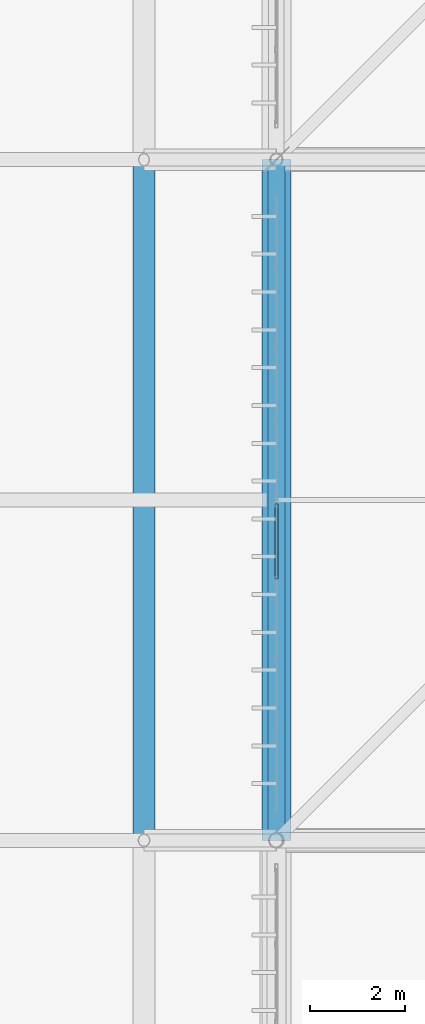
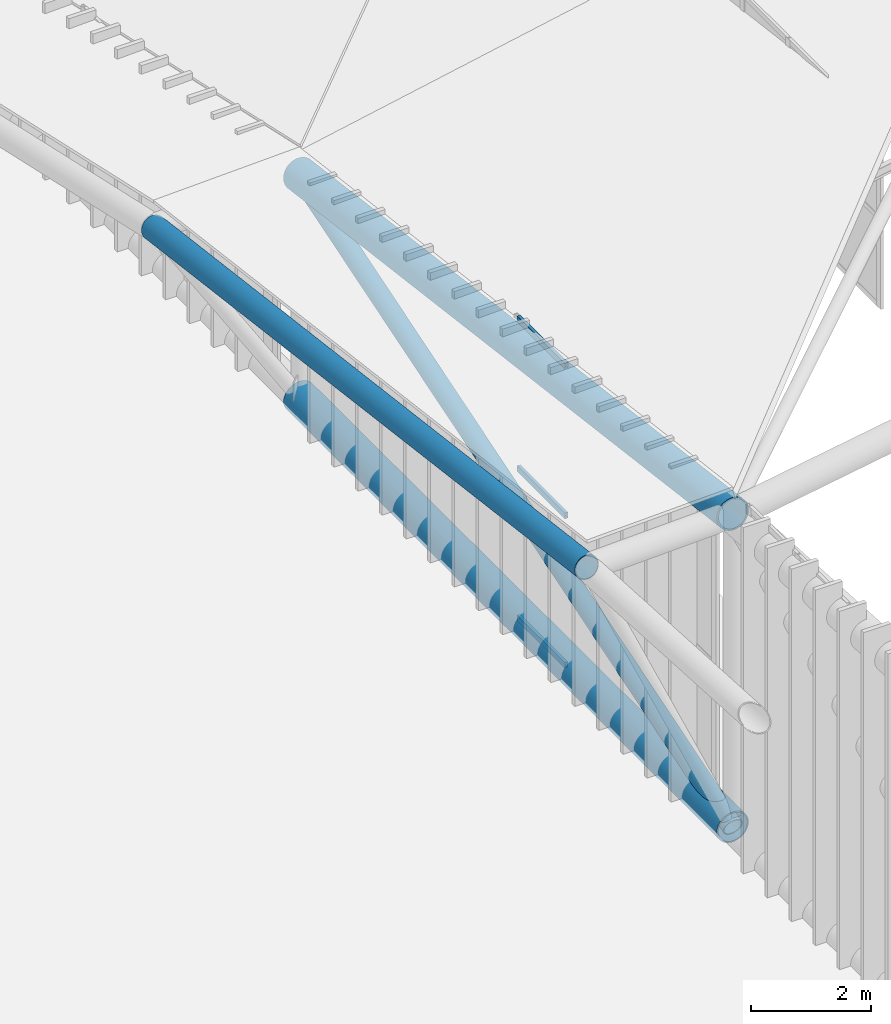
# One storey, part 194 of 397: 4 members, 3 beams, 1 element without a shape of its own.
"""IFC4 building model written with IfcOpenShell, lengths in metres."""

from ifc_helpers import new_model, si_unit, direction, frame, origin, origin_2d, place, context, subcontext, project, spatial, hollow_rectangle, hollow_circle, extrude, material, material_profile, profile_set, type_object, element, aggregate, save


model = new_model("IFC4")

# Units and contexts
model_context = context("Model", 3, precision=1e-05, world=origin(), true_north=direction((0.0, 1.0)))
body_context = subcontext(model_context, "Body", "Model", "MODEL_VIEW")
ifc_project = project(units=[si_unit("LENGTHUNIT", "METRE"), si_unit("AREAUNIT", "SQUARE_METRE"), si_unit("VOLUMEUNIT", "CUBIC_METRE"), si_unit("PLANEANGLEUNIT", "RADIAN"), si_unit("MASSUNIT", "GRAM", prefix="KILO")], contexts=[model_context])

# Site, building, storey
site_placement = place(None, origin())
site = spatial("IfcSite", under=ifc_project, at=site_placement, CompositionType="ELEMENT")
building_placement = place(site_placement, origin())
building = spatial("IfcBuilding", under=site, at=building_placement, Name="Qandorah Velis Arena", CompositionType="ELEMENT")
storey_placement = place(building_placement, frame((0.0, 0.0, 27.5)))
storey = spatial("IfcBuildingStorey", under=building, at=storey_placement, Name="RF", CompositionType="ELEMENT", Elevation=27.5)

# Curtain wall, members
ifc_material_1 = material(Name="Solar-control low-E double glazing", Category="glass")
curtain_wall_type = type_object("IfcCurtainWallType", Name="ARC-CW-SYS06", PredefinedType="USERDEFINED", material=ifc_material_1)
curtain_wall_placement = place(storey_placement, origin())
curtain_wall = element("IfcCurtainWall", 1, at=curtain_wall_placement, inside=storey, type_object=curtain_wall_type, Name="Unitised curtain wall CROWN-1-06S1", ObjectType="UNITISED CURTAIN WALL", PredefinedType="USERDEFINED")
ifc_material_2 = material(Name="Champagne-bronze anodized aluminium 6063-T6", Category="aluminium")
ifc_material_profile_1 = material_profile(ifc_material_2, hollow_rectangle(XDim=0.06005859375, YDim=0.1201171875, WallThickness=0.0029296875, at=origin_2d()), Name="ALU TRANSOM 60x120")
ifc_profile_set_1 = profile_set([ifc_material_profile_1], Name="Champagne-bronze anodized aluminium 6063-T6")
member_type_1 = type_object("IfcMemberType", Name="ARC-CWT-120", PredefinedType="USERDEFINED", material=ifc_profile_set_1)
member_1_placement = place(storey_placement, frame((14.39990234375, 91.925537109375, 0.030029296875), z_axis=(0.0, 1.0, 0.0), x_axis=(-1.0, 0.0, 0.0)))
member_1 = element("IfcMember", 2, at=member_1_placement, type_object=member_type_1, Name="CW06 transom 4.1", ObjectType="TRANSOM", PredefinedType="USERDEFINED", context=body_context, shape_type="SweptSolid", body=[
    extrude(hollow_rectangle(XDim=0.06005859375, YDim=0.1201171875, WallThickness=0.0029296875, at=origin_2d()), origin(), (0.0, 0.0, 1.0), 1.58642578125),
])
member_2_placement = place(storey_placement, frame((14.39990234375, 91.925537109375, 3.064697265625), z_axis=(0.0, 1.0, 0.0), x_axis=(-1.0, 0.0, 0.0)))
member_2 = element("IfcMember", 3, at=member_2_placement, type_object=member_type_1, Name="CW06 transom 4.2", ObjectType="TRANSOM", PredefinedType="USERDEFINED", context=body_context, shape_type="SweptSolid", body=[
    extrude(hollow_rectangle(XDim=0.06005859375, YDim=0.1201171875, WallThickness=0.0029296875, at=origin_2d()), origin(), (0.0, 0.0, 1.0), 1.58642578125),
])
member_3_placement = place(storey_placement, frame((14.39990234375, 91.925537109375, 6.099609375), z_axis=(0.0, 1.0, 0.0), x_axis=(-1.0, 0.0, 0.0)))
member_3 = element("IfcMember", 4, at=member_3_placement, type_object=member_type_1, Name="CW06 transom 4.3", ObjectType="TRANSOM", PredefinedType="USERDEFINED", context=body_context, shape_type="SweptSolid", body=[
    extrude(hollow_rectangle(XDim=0.06005859375, YDim=0.1201171875, WallThickness=0.0029296875, at=origin_2d()), origin(), (0.0, 0.0, 1.0), 1.58642578125),
])
aggregate(curtain_wall, [member_1, member_2, member_3])

# Beams
ifc_material_3 = material(Name="Steel S355", Category="steel")
ifc_material_profile_2 = material_profile(ifc_material_3, hollow_circle(Radius=0.228515625, WallThickness=0.01611328125, at=origin_2d()), Name="CHS 457x16")
ifc_profile_set_2 = profile_set([ifc_material_profile_2], Name="Steel S355")
beam_type_1 = type_object("IfcBeamType", Name="STR-SFC-CHS457X16", PredefinedType="USERDEFINED", material=ifc_profile_set_2)
beam_1_placement = place(storey_placement, frame((11.60009765625, 86.39990234375, 6.348388671875), z_axis=(0.0, 0.991934445753, -0.12675194408), x_axis=(-1.0, 0.0, 0.0)))
element("IfcBeam", 5, at=beam_1_placement, inside=storey, type_object=beam_type_1, Name="Space frame eave fascia ring W-5", ObjectType="ROOF TRUSS", PredefinedType="USERDEFINED", context=body_context, shape_type="SweptSolid", body=[
    extrude(hollow_circle(Radius=0.228515625, WallThickness=0.01611328125, at=origin_2d()), origin(), (0.0, 0.0, 1.0), 14.517333984375),
])
ifc_material_4 = material(Name="Steel S460", Category="steel")
ifc_material_profile_3 = material_profile(ifc_material_4, hollow_circle(Radius=0.304931640625, WallThickness=0.02490234375, at=origin_2d()), Name="CHS 610x25")
ifc_profile_set_3 = profile_set([ifc_material_profile_3], Name="Steel S460")
beam_type_2 = type_object("IfcBeamType", Name="STR-SFC-CHS610X25", PredefinedType="USERDEFINED", material=ifc_profile_set_3)
beam_2_placement = place(storey_placement, frame((14.39990234375, 86.39990234375, 0.10009765625), z_axis=(0.0, 1.0, 0.0), x_axis=(-1.0, 0.0, 0.0)))
element("IfcBeam", 6, at=beam_2_placement, inside=storey, type_object=beam_type_2, Name="Space frame roof truss bottom chord Y 0.5", ObjectType="ROOF TRUSS", PredefinedType="USERDEFINED", context=body_context, shape_type="SweptSolid", body=[
    extrude(hollow_circle(Radius=0.304931640625, WallThickness=0.02490234375, at=origin_2d()), origin(), (0.0, 0.0, 1.0), 14.400146484375),
])
ifc_material_profile_4 = material_profile(ifc_material_4, hollow_circle(Radius=0.304931640625, WallThickness=0.031982421875, at=origin_2d()), Name="CHS 610x32")
ifc_profile_set_4 = profile_set([ifc_material_profile_4], Name="Steel S460")
beam_type_3 = type_object("IfcBeamType", Name="STR-SFC-CHS610X32", PredefinedType="USERDEFINED", material=ifc_profile_set_4)
beam_3_placement = place(storey_placement, frame((14.39990234375, 86.39990234375, 6.448486328125), z_axis=(0.0, 0.991934445753, -0.12675194408), x_axis=(-1.0, 0.0, 0.0)))
element("IfcBeam", 7, at=beam_3_placement, inside=storey, type_object=beam_type_3, Name="Space frame roof truss top chord Y 0.5", ObjectType="ROOF TRUSS", PredefinedType="USERDEFINED", context=body_context, shape_type="SweptSolid", body=[
    extrude(hollow_circle(Radius=0.304931640625, WallThickness=0.031982421875, at=origin_2d()), origin(), (0.0, 0.0, 1.0), 14.517333984375),
])

# Member
ifc_material_profile_5 = material_profile(ifc_material_3, hollow_circle(Radius=0.177734375, WallThickness=0.012451171875, at=origin_2d()), Name="CHS 355.6x12.5")
ifc_profile_set_5 = profile_set([ifc_material_profile_5], Name="Steel S355")
member_type_2 = type_object("IfcMemberType", Name="STR-SFD-CHS355X12", PredefinedType="STRUT", material=ifc_profile_set_5)
member_4_placement = place(storey_placement, frame((14.39990234375, 86.39990234375, 0.10009765625), z_axis=(0.0, 0.954324097218, 0.298773354682), x_axis=(-1.0, 0.0, 0.0)))
element("IfcMember", 8, at=member_4_placement, inside=storey, type_object=member_type_2, Name="Space frame roof diagonal Y 0.5", PredefinedType="STRUT", context=body_context, shape_type="SweptSolid", body=[
    extrude(hollow_circle(Radius=0.177734375, WallThickness=0.012451171875, at=origin_2d()), origin(), (0.0, 0.0, 1.0), 15.08935546875),
])

save(model, "model.ifc")
